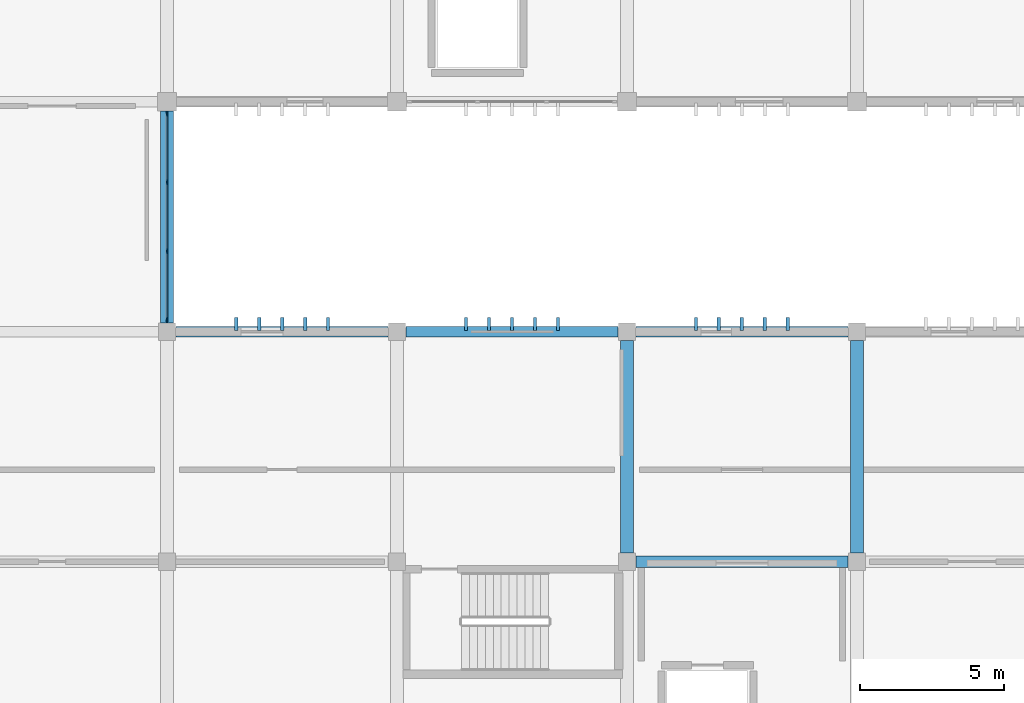
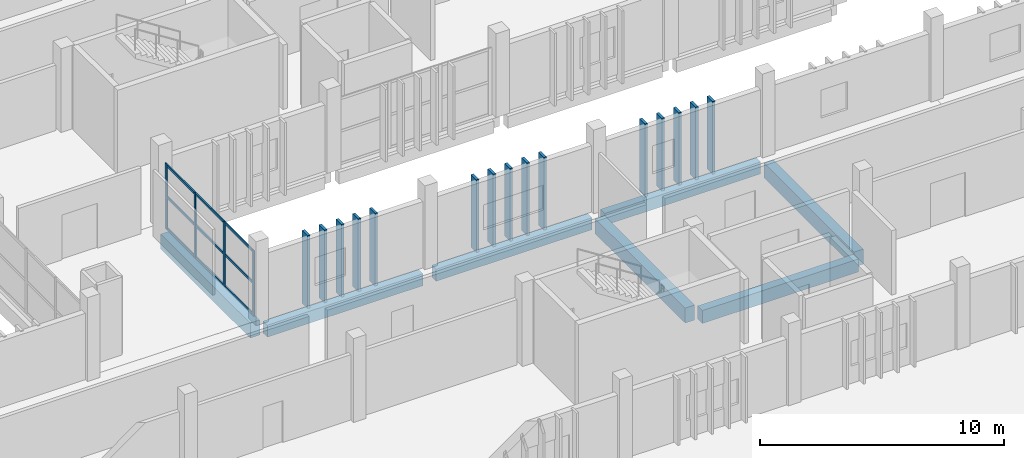
# One storey, part 23 of 137: 28 members, 7 beams, 1 element without a shape of its own.
"""IFC4 building model written with IfcOpenShell, lengths in metres."""

from ifc_helpers import new_model, si_unit, direction, frame, origin, origin_2d, place, context, subcontext, project, spatial, rectangle, extrude, material, layer, layer_set, material_profile, profile_set, type_object, element, aggregate, save


model = new_model("IFC4")

# Units and contexts
model_context = context("Model", 3, precision=1e-05, world=origin(), true_north=direction((0.0, 1.0)))
body_context = subcontext(model_context, "Body", "Model", "MODEL_VIEW")
ifc_project = project(units=[si_unit("LENGTHUNIT", "METRE"), si_unit("AREAUNIT", "SQUARE_METRE"), si_unit("VOLUMEUNIT", "CUBIC_METRE"), si_unit("PLANEANGLEUNIT", "RADIAN"), si_unit("MASSUNIT", "GRAM", prefix="KILO")], contexts=[model_context])

# Site, building, storey
site_placement = place(None, origin())
site = spatial("IfcSite", under=ifc_project, at=site_placement, CompositionType="ELEMENT")
building_placement = place(site_placement, origin())
building = spatial("IfcBuilding", under=site, at=building_placement, Name="Jelvoka-Kovrelna Polytechnic", CompositionType="ELEMENT")
storey_placement = place(building_placement, frame((0.0, 0.0, 9.60009765625)))
storey = spatial("IfcBuildingStorey", under=building, at=storey_placement, Name="L03", CompositionType="ELEMENT", Elevation=9.60009765625)

# Beams
ifc_material_1 = material(Name="Concrete C40/50", Category="concrete")
ifc_material_profile_1 = material_profile(ifc_material_1, rectangle(XDim=0.39990234375, YDim=0.64990234375, at=origin_2d()), Name="RC 400x650")
ifc_profile_set_1 = profile_set([ifc_material_profile_1], Name="Concrete C40/50")
beam_type_1 = type_object("IfcBeamType", Name="Beam_RC_400x650", PredefinedType="BEAM", material=ifc_profile_set_1)
beam_1_placement = place(storey_placement, frame((96.304931640625, 16.0, -0.590087890625), z_axis=(1.0, 0.0, 0.0), x_axis=(0.0, 1.0, 0.0)))
element("IfcBeam", 1, at=beam_1_placement, inside=storey, type_object=beam_type_1, Name="L03 beam 0874", PredefinedType="BEAM", context=body_context, shape_type="SweptSolid", body=[
    extrude(rectangle(XDim=0.39990234375, YDim=0.64990234375, at=origin_2d()), origin(), (0.0, 0.0, 1.0), 7.39013671875),
])
ifc_material_2 = material(Name="Concrete C40/50", Category="concrete")
ifc_material_profile_2 = material_profile(ifc_material_2, rectangle(XDim=0.449951171875, YDim=0.75, at=origin_2d()), Name="RC 450x750")
ifc_profile_set_2 = profile_set([ifc_material_profile_2], Name="Concrete C40/50")
beam_type_2 = type_object("IfcBeamType", Name="Beam_RC_450x750", PredefinedType="BEAM", material=ifc_profile_set_2)
for number, where, z_axis, x_axis, name in (
    (2, (96.0, 16.304931640625, -0.64013671875), (0.0, 1.0, 0.0), (-1.0, 0.0, 0.0), "L03 beam 0894"),
    (3, (104.0, 16.304931640625, -0.64013671875), (0.0, 1.0, 0.0), (-1.0, 0.0, 0.0), "L03 beam 0896"),
):
    element("IfcBeam", number, at=place(storey_placement, frame(where, z_axis=z_axis, x_axis=x_axis)), inside=storey, type_object=beam_type_2, Name=name, PredefinedType="BEAM", context=body_context, shape_type="SweptSolid", body=[
        extrude(rectangle(XDim=0.449951171875, YDim=0.75, at=origin_2d()), origin(), (0.0, 0.0, 1.0), 7.39013671875),
    ])
beam_2_placement = place(storey_placement, frame((80.0, 24.304931640625, -0.64013671875), z_axis=(0.0, 1.0, 0.0), x_axis=(-1.0, 0.0, 0.0)))
element("IfcBeam", 4, at=beam_2_placement, inside=storey, type_object=beam_type_2, Name="L03 beam 1105", PredefinedType="BEAM", context=body_context, shape_type="SweptSolid", body=[
    extrude(rectangle(XDim=0.449951171875, YDim=0.75, at=origin_2d()), origin(), (0.0, 0.0, 1.0), 7.364990234375),
])

# Members
ifc_material_3 = material(Name="Precast concrete C40/50", Category="concrete")
ifc_material_profile_3 = material_profile(ifc_material_3, rectangle(XDim=0.1201171875, YDim=0.449951171875, at=origin_2d()), Name="PC 120x450")
ifc_profile_set_3 = profile_set([ifc_material_profile_3], Name="Precast concrete C40/50")
member_type_1 = type_object("IfcMemberType", Name="Louvre_Fin_120x450", PredefinedType="USERDEFINED", material=ifc_profile_set_3)
for number, where, z_axis, x_axis, name in (
    (5, (82.39990234375, 24.264892578125, -0.27001953125), (0.0, 0.0, 1.0), (1.0, 0.0, 0.0), "L03 B1 north vertical solar louvre fin 0246"),
    (6, (83.199951171875, 24.264892578125, -0.27001953125), (0.0, 0.0, 1.0), (1.0, 0.0, 0.0), "L03 B1 north vertical solar louvre fin 0247"),
    (7, (84.0, 24.264892578125, -0.27001953125), (0.0, 0.0, 1.0), (1.0, 0.0, 0.0), "L03 B1 north vertical solar louvre fin 0248"),
    (8, (84.800048828125, 24.264892578125, -0.27001953125), (0.0, 0.0, 1.0), (1.0, 0.0, 0.0), "L03 B1 north vertical solar louvre fin 0249"),
    (9, (85.60009765625, 24.264892578125, -0.27001953125), (0.0, 0.0, 1.0), (1.0, 0.0, 0.0), "L03 B1 north vertical solar louvre fin 0250"),
    (10, (90.39990234375, 24.264892578125, -0.27001953125), (0.0, 0.0, 1.0), (1.0, 0.0, 0.0), "L03 B1 north vertical solar louvre fin 0256"),
    (11, (91.199951171875, 24.264892578125, -0.27001953125), (0.0, 0.0, 1.0), (1.0, 0.0, 0.0), "L03 B1 north vertical solar louvre fin 0257"),
    (12, (92.0, 24.264892578125, -0.27001953125), (0.0, 0.0, 1.0), (1.0, 0.0, 0.0), "L03 B1 north vertical solar louvre fin 0258"),
    (13, (92.800048828125, 24.264892578125, -0.27001953125), (0.0, 0.0, 1.0), (1.0, 0.0, 0.0), "L03 B1 north vertical solar louvre fin 0259"),
    (14, (93.60009765625, 24.264892578125, -0.27001953125), (0.0, 0.0, 1.0), (1.0, 0.0, 0.0), "L03 B1 north vertical solar louvre fin 0260"),
    (15, (98.39990234375, 24.264892578125, -0.27001953125), (0.0, 0.0, 1.0), (1.0, 0.0, 0.0), "L03 B1 north vertical solar louvre fin 0266"),
    (16, (99.199951171875, 24.264892578125, -0.27001953125), (0.0, 0.0, 1.0), (1.0, 0.0, 0.0), "L03 B1 north vertical solar louvre fin 0267"),
    (17, (100.0, 24.264892578125, -0.27001953125), (0.0, 0.0, 1.0), (1.0, 0.0, 0.0), "L03 B1 north vertical solar louvre fin 0268"),
    (18, (100.800048828125, 24.264892578125, -0.27001953125), (0.0, 0.0, 1.0), (1.0, 0.0, 0.0), "L03 B1 north vertical solar louvre fin 0269"),
    (19, (101.60009765625, 24.264892578125, -0.27001953125), (0.0, 0.0, 1.0), (1.0, 0.0, 0.0), "L03 B1 north vertical solar louvre fin 0270"),
):
    element("IfcMember", number, at=place(storey_placement, frame(where, z_axis=z_axis, x_axis=x_axis)), inside=storey, type_object=member_type_1, Name=name, ObjectType="SUNSHADE", PredefinedType="USERDEFINED", context=body_context, shape_type="SweptSolid", body=[
        extrude(rectangle(XDim=0.1201171875, YDim=0.449951171875, at=origin_2d()), origin(), (0.0, 0.0, 1.0), 3.64501953125),
    ])

# Curtain wall, members
ifc_material_4 = material(Name="Anodised aluminium 6063-T6", Category="aluminium")
ifc_layer = layer(ifc_material_4, 0.159912109375)
ifc_layer_set = layer_set([ifc_layer], Name="Anodised aluminium 6063-T6")
curtain_wall_type = type_object("IfcCurtainWallType", Name="CW_LinkBridge", PredefinedType="NOTDEFINED", material=ifc_layer_set)
curtain_wall_placement = place(storey_placement, origin())
curtain_wall = element("IfcCurtainWall", 20, at=curtain_wall_placement, inside=storey, type_object=curtain_wall_type, Name="L03 glazed curtain wall 125", PredefinedType="NOTDEFINED")
ifc_material_5 = material(Name="Anodised aluminium 6063-T6", Category="aluminium")
ifc_material_profile_4 = material_profile(ifc_material_5, rectangle(XDim=0.06005859375, YDim=0.159912109375, at=origin_2d()), Name="ALU 60x160")
ifc_profile_set_4 = profile_set([ifc_material_profile_4], Name="Anodised aluminium 6063-T6")
member_type_2 = type_object("IfcMemberType", Name="Mullion_M-04", PredefinedType="MULLION", material=ifc_profile_set_4)
member_1_placement = place(storey_placement, frame((80.0, 31.570068359375, -0.02490234375), z_axis=(0.0, 0.0, 1.0), x_axis=(1.0, 0.0, 0.0)))
member_1 = element("IfcMember", 21, at=member_1_placement, type_object=member_type_2, Name="CW-04 mullion 1", PredefinedType="MULLION", context=body_context, shape_type="SweptSolid", body=[
    extrude(rectangle(XDim=0.06005859375, YDim=0.159912109375, at=origin_2d()), origin(), (0.0, 0.0, 1.0), 3.27490234375),
])
member_2_placement = place(storey_placement, frame((80.0, 29.199951171875, -0.02490234375), z_axis=(0.0, 0.0, 1.0), x_axis=(1.0, 0.0, 0.0)))
member_2 = element("IfcMember", 22, at=member_2_placement, type_object=member_type_2, Name="CW-04 mullion 2", PredefinedType="MULLION", context=body_context, shape_type="SweptSolid", body=[
    extrude(rectangle(XDim=0.06005859375, YDim=0.159912109375, at=origin_2d()), origin(), (0.0, 0.0, 1.0), 3.27490234375),
])
member_3_placement = place(storey_placement, frame((80.0, 26.800048828125, -0.02490234375), z_axis=(0.0, 0.0, 1.0), x_axis=(1.0, 0.0, 0.0)))
member_3 = element("IfcMember", 23, at=member_3_placement, type_object=member_type_2, Name="CW-04 mullion 3", PredefinedType="MULLION", context=body_context, shape_type="SweptSolid", body=[
    extrude(rectangle(XDim=0.06005859375, YDim=0.159912109375, at=origin_2d()), origin(), (0.0, 0.0, 1.0), 3.27490234375),
])
member_4_placement = place(storey_placement, frame((80.0, 24.429931640625, -0.02490234375), z_axis=(0.0, 0.0, 1.0), x_axis=(1.0, 0.0, 0.0)))
member_4 = element("IfcMember", 24, at=member_4_placement, type_object=member_type_2, Name="CW-04 mullion 4", PredefinedType="MULLION", context=body_context, shape_type="SweptSolid", body=[
    extrude(rectangle(XDim=0.06005859375, YDim=0.159912109375, at=origin_2d()), origin(), (0.0, 0.0, 1.0), 3.27490234375),
])

# Beams
ifc_material_6 = material(Name="Concrete C40/50", Category="concrete")
ifc_material_profile_5 = material_profile(ifc_material_6, rectangle(XDim=0.35009765625, YDim=0.60009765625, at=origin_2d()), Name="RC 350x600")
ifc_profile_set_5 = profile_set([ifc_material_profile_5], Name="Concrete C40/50")
beam_type_3 = type_object("IfcBeamType", Name="Spandrel_RC_350x600", PredefinedType="SPANDREL", material=ifc_profile_set_5)
for number, where, z_axis, x_axis, name in (
    (25, (80.304931640625, 24.0, -0.565185546875), (1.0, 0.0, 0.0), (0.0, 1.0, 0.0), "L03 beam 0879"),
    (26, (88.304931640625, 24.0, -0.565185546875), (1.0, 0.0, 0.0), (0.0, 1.0, 0.0), "L03 beam 0880"),
    (27, (96.304931640625, 24.0, -0.565185546875), (1.0, 0.0, 0.0), (0.0, 1.0, 0.0), "L03 beam 0881"),
):
    element("IfcBeam", number, at=place(storey_placement, frame(where, z_axis=z_axis, x_axis=x_axis)), inside=storey, type_object=beam_type_3, Name=name, PredefinedType="SPANDREL", context=body_context, shape_type="SweptSolid", body=[
        extrude(rectangle(XDim=0.35009765625, YDim=0.60009765625, at=origin_2d()), origin(), (0.0, 0.0, 1.0), 7.39013671875),
    ])

# Member
ifc_material_7 = material(Name="Anodised aluminium 6063-T6", Category="aluminium")
ifc_material_profile_6 = material_profile(ifc_material_7, rectangle(XDim=0.06005859375, YDim=0.1201171875, at=origin_2d()), Name="ALU 60x120")
ifc_profile_set_6 = profile_set([ifc_material_profile_6], Name="Anodised aluminium 6063-T6")
member_type_3 = type_object("IfcMemberType", Name="Transom_T-04", PredefinedType="USERDEFINED", material=ifc_profile_set_6)
member_5_placement = place(storey_placement, frame((80.0, 31.5400390625, 0.02978515625), z_axis=(0.0, -1.0, 0.0), x_axis=(1.0, 0.0, 0.0)))
member_5 = element("IfcMember", 28, at=member_5_placement, type_object=member_type_3, Name="CW-04 transom 1.1", ObjectType="TRANSOM", PredefinedType="USERDEFINED", context=body_context, shape_type="SweptSolid", body=[
    extrude(rectangle(XDim=0.06005859375, YDim=0.1201171875, at=origin_2d()), origin(), (0.0, 0.0, 1.0), 2.31005859375),
])

member_6_placement = place(storey_placement, frame((80.0, 31.5400390625, 1.6123046875), z_axis=(0.0, -1.0, 0.0), x_axis=(1.0, 0.0, 0.0)))
member_6 = element("IfcMember", 29, at=member_6_placement, type_object=member_type_3, Name="CW-04 transom 1.2", ObjectType="TRANSOM", PredefinedType="USERDEFINED", context=body_context, shape_type="SweptSolid", body=[
    extrude(rectangle(XDim=0.06005859375, YDim=0.1201171875, at=origin_2d()), origin(), (0.0, 0.0, 1.0), 2.31005859375),
])

member_7_placement = place(storey_placement, frame((80.0, 31.5400390625, 3.19482421875), z_axis=(0.0, -1.0, 0.0), x_axis=(1.0, 0.0, 0.0)))
member_7 = element("IfcMember", 30, at=member_7_placement, type_object=member_type_3, Name="CW-04 transom 1.3", ObjectType="TRANSOM", PredefinedType="USERDEFINED", context=body_context, shape_type="SweptSolid", body=[
    extrude(rectangle(XDim=0.06005859375, YDim=0.1201171875, at=origin_2d()), origin(), (0.0, 0.0, 1.0), 2.31005859375),
])

member_8_placement = place(storey_placement, frame((80.0, 29.169921875, 0.02978515625), z_axis=(0.0, -1.0, 0.0), x_axis=(1.0, 0.0, 0.0)))
member_8 = element("IfcMember", 31, at=member_8_placement, type_object=member_type_3, Name="CW-04 transom 2.1", ObjectType="TRANSOM", PredefinedType="USERDEFINED", context=body_context, shape_type="SweptSolid", body=[
    extrude(rectangle(XDim=0.06005859375, YDim=0.1201171875, at=origin_2d()), origin(), (0.0, 0.0, 1.0), 2.33984375),
])

member_9_placement = place(storey_placement, frame((80.0, 29.169921875, 1.6123046875), z_axis=(0.0, -1.0, 0.0), x_axis=(1.0, 0.0, 0.0)))
member_9 = element("IfcMember", 32, at=member_9_placement, type_object=member_type_3, Name="CW-04 transom 2.2", ObjectType="TRANSOM", PredefinedType="USERDEFINED", context=body_context, shape_type="SweptSolid", body=[
    extrude(rectangle(XDim=0.06005859375, YDim=0.1201171875, at=origin_2d()), origin(), (0.0, 0.0, 1.0), 2.33984375),
])

member_10_placement = place(storey_placement, frame((80.0, 29.169921875, 3.19482421875), z_axis=(0.0, -1.0, 0.0), x_axis=(1.0, 0.0, 0.0)))
member_10 = element("IfcMember", 33, at=member_10_placement, type_object=member_type_3, Name="CW-04 transom 2.3", ObjectType="TRANSOM", PredefinedType="USERDEFINED", context=body_context, shape_type="SweptSolid", body=[
    extrude(rectangle(XDim=0.06005859375, YDim=0.1201171875, at=origin_2d()), origin(), (0.0, 0.0, 1.0), 2.33984375),
])

member_11_placement = place(storey_placement, frame((80.0, 26.77001953125, 0.02978515625), z_axis=(0.0, -1.0, 0.0), x_axis=(1.0, 0.0, 0.0)))
member_11 = element("IfcMember", 34, at=member_11_placement, type_object=member_type_3, Name="CW-04 transom 3.1", ObjectType="TRANSOM", PredefinedType="USERDEFINED", context=body_context, shape_type="SweptSolid", body=[
    extrude(rectangle(XDim=0.06005859375, YDim=0.1201171875, at=origin_2d()), origin(), (0.0, 0.0, 1.0), 2.31005859375),
])

member_12_placement = place(storey_placement, frame((80.0, 26.77001953125, 1.6123046875), z_axis=(0.0, -1.0, 0.0), x_axis=(1.0, 0.0, 0.0)))
member_12 = element("IfcMember", 35, at=member_12_placement, type_object=member_type_3, Name="CW-04 transom 3.2", ObjectType="TRANSOM", PredefinedType="USERDEFINED", context=body_context, shape_type="SweptSolid", body=[
    extrude(rectangle(XDim=0.06005859375, YDim=0.1201171875, at=origin_2d()), origin(), (0.0, 0.0, 1.0), 2.31005859375),
])

member_13_placement = place(storey_placement, frame((80.0, 26.77001953125, 3.19482421875), z_axis=(0.0, -1.0, 0.0), x_axis=(1.0, 0.0, 0.0)))
member_13 = element("IfcMember", 36, at=member_13_placement, type_object=member_type_3, Name="CW-04 transom 3.3", ObjectType="TRANSOM", PredefinedType="USERDEFINED", context=body_context, shape_type="SweptSolid", body=[
    extrude(rectangle(XDim=0.06005859375, YDim=0.1201171875, at=origin_2d()), origin(), (0.0, 0.0, 1.0), 2.31005859375),
])

aggregate(curtain_wall, [member_1, member_2, member_3, member_4, member_5, member_6, member_7, member_8, member_9, member_10, member_11, member_12, member_13])

save(model, "model.ifc")
